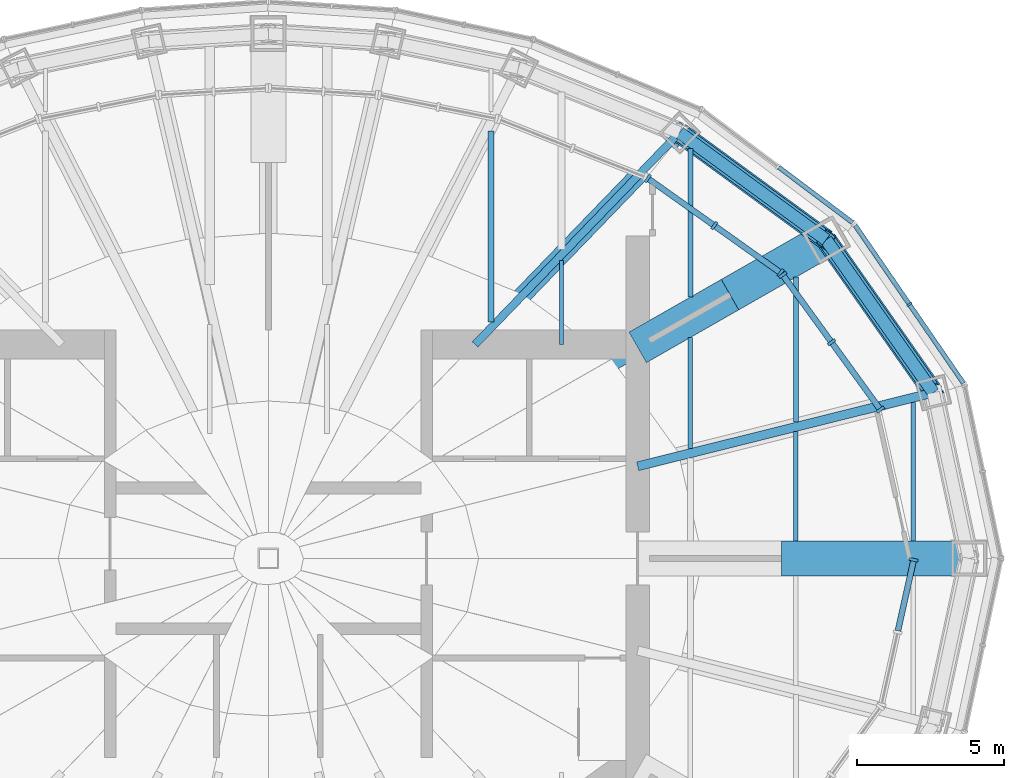
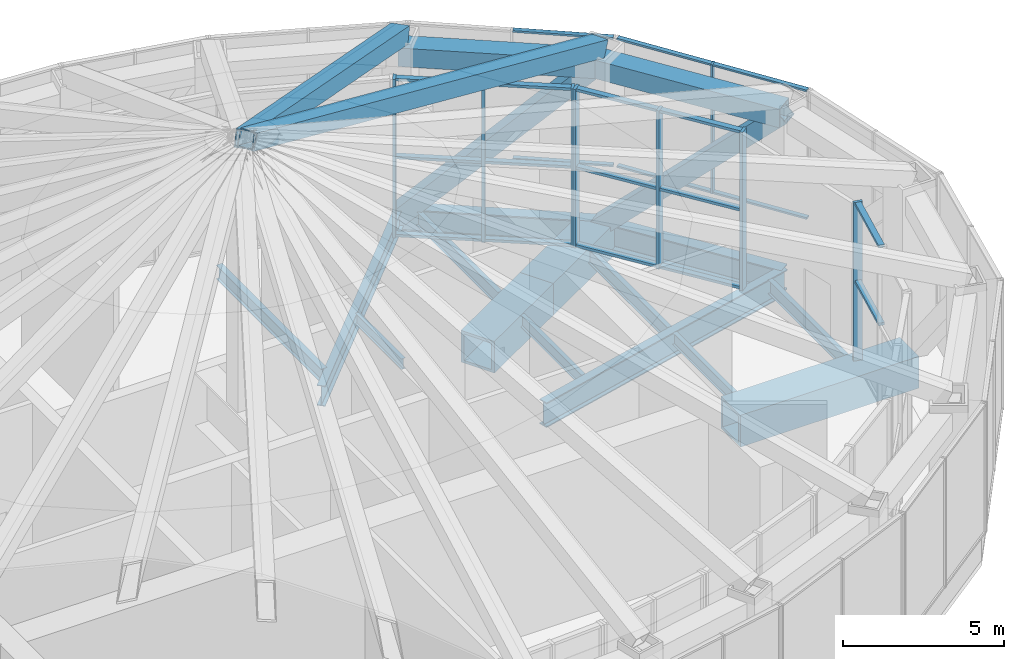
# One storey, part 9 of 21: 32 members, 16 beams, 5 elements without a shape of their own.
"""IFC4 building model written with IfcOpenShell, lengths in metres."""

from ifc_helpers import new_model, si_unit, direction, frame, origin, origin_2d, place, context, subcontext, project, spatial, rectangle, hollow_rectangle, i_section, extrude, material, material_profile, profile_set, type_object, element, aggregate, save


model = new_model("IFC4")

# Units and contexts
model_context = context("Model", 3, precision=1e-05, world=origin(), true_north=direction((0.0, 1.0)))
body_context = subcontext(model_context, "Body", "Model", "MODEL_VIEW")
ifc_project = project(units=[si_unit("LENGTHUNIT", "METRE"), si_unit("AREAUNIT", "SQUARE_METRE"), si_unit("VOLUMEUNIT", "CUBIC_METRE"), si_unit("PLANEANGLEUNIT", "RADIAN"), si_unit("MASSUNIT", "GRAM", prefix="KILO")], contexts=[model_context])

# Site, building, storey
site_placement = place(None, origin())
site = spatial("IfcSite", under=ifc_project, at=site_placement, CompositionType="ELEMENT")
building_placement = place(site_placement, origin())
building = spatial("IfcBuilding", under=site, at=building_placement, Name="Lantaw Convention Tower", CompositionType="ELEMENT")
storey_placement = place(building_placement, frame((0.0, 0.0, 290.39990234375)))
storey = spatial("IfcBuildingStorey", under=building, at=storey_placement, Name="L67", CompositionType="ELEMENT", Elevation=290.39990234375)

# Beams
ifc_material_1 = material(Name="Steel ASTM A992", Category="steel")
ifc_material_profile_1 = material_profile(ifc_material_1, i_section(OverallWidth=0.424072265625, OverallDepth=0.947509765625, WebThickness=0.02392578125, FlangeThickness=0.042724609375, FilletRadius=0.012451171875, at=origin_2d()), Name="W36X302")
ifc_profile_set_1 = profile_set([ifc_material_profile_1], Name="Steel ASTM A992")
beam_type_1 = type_object("IfcBeamType", Name="Beam BC W36X302", PredefinedType="SPANDREL", material=ifc_profile_set_1)
beam_1_placement = place(storey_placement, frame((22.68701171875, 5.656494140625, -0.673583984375), z_axis=(-0.574400527612, 0.81857439117, 0.0), x_axis=(-0.81857439117, -0.574400527612, 0.0)))
element("IfcBeam", 1, at=beam_1_placement, inside=storey, type_object=beam_type_1, Name="Belt truss chord 2", PredefinedType="SPANDREL", context=body_context, shape_type="SweptSolid", body=[
    extrude(i_section(OverallWidth=0.424072265625, OverallDepth=0.947509765625, WebThickness=0.02392578125, FlangeThickness=0.042724609375, FilletRadius=0.012451171875, at=origin_2d()), origin(), (0.0, 0.0, 1.0), 6.3720703125),
])
beam_2_placement = place(storey_placement, frame((19.02685546875, 10.87255859375, -0.673583984375), z_axis=(-0.807371616826, 0.59004328006, 0.0), x_axis=(-0.59004328006, -0.807371616826, 0.0)))
element("IfcBeam", 2, at=beam_2_placement, inside=storey, type_object=beam_type_1, Name="Belt truss chord 3", PredefinedType="SPANDREL", context=body_context, shape_type="SweptSolid", body=[
    extrude(i_section(OverallWidth=0.424072265625, OverallDepth=0.947509765625, WebThickness=0.02392578125, FlangeThickness=0.042724609375, FilletRadius=0.012451171875, at=origin_2d()), origin(), (0.0, 0.0, 1.0), 6.192138671875),
])
ifc_material_2 = material(Name="Steel EN 10025-3 S460N", Category="steel")
ifc_material_profile_2 = material_profile(ifc_material_2, hollow_rectangle(XDim=1.199951171875, YDim=1.199951171875, WallThickness=0.10009765625, at=origin_2d()), Name="BOX1200X100")
ifc_profile_set_2 = profile_set([ifc_material_profile_2], Name="Steel EN 10025-3 S460N")
beam_type_2 = type_object("IfcBeamType", Name="Beam G BOX1200X100", PredefinedType="BEAM", material=ifc_profile_set_2)
beam_3_placement = place(storey_placement, frame((17.5, 0.0, -0.7998046875), z_axis=(1.0, 0.0, 0.0), x_axis=(0.0, 1.0, 0.0)))
element("IfcBeam", 3, at=beam_3_placement, inside=storey, type_object=beam_type_2, Name="Floor girder on ray 1", PredefinedType="BEAM", context=body_context, shape_type="SweptSolid", body=[
    extrude(hollow_rectangle(XDim=1.199951171875, YDim=1.199951171875, WallThickness=0.10009765625, at=origin_2d()), origin(), (0.0, 0.0, 1.0), 6.39990234375),
])
beam_4_placement = place(storey_placement, frame((15.75, 9.0, -0.7998046875), z_axis=(0.868235180478, 0.496152870978, 0.0), x_axis=(-0.496152870978, 0.868235180478, 0.0)))
element("IfcBeam", 4, at=beam_4_placement, inside=storey, type_object=beam_type_2, Name="Floor girder on ray 3", PredefinedType="BEAM", context=body_context, shape_type="SweptSolid", body=[
    extrude(hollow_rectangle(XDim=1.199951171875, YDim=1.199951171875, WallThickness=0.10009765625, at=origin_2d()), origin(), (0.0, 0.0, 1.0), 3.774169921875),
])
ifc_material_profile_3 = material_profile(ifc_material_1, i_section(OverallWidth=0.2666015625, OverallDepth=0.76953125, WebThickness=0.015625, FlangeThickness=0.025390625, FilletRadius=0.0126953125, at=origin_2d()), Name="W30X132")
ifc_profile_set_3 = profile_set([ifc_material_profile_3], Name="Steel ASTM A992")
beam_type_3 = type_object("IfcBeamType", Name="Beam G W30X132", PredefinedType="BEAM", material=ifc_profile_set_3)
beam_5_placement = place(storey_placement, frame((7.049560546875, 7.300048828125, -0.584716796875), z_axis=(0.694652631285, 0.71934534255, 0.0), x_axis=(-0.71934534255, 0.694652631285, 0.0)))
element("IfcBeam", 5, at=beam_5_placement, inside=storey, type_object=beam_type_3, Name="Floor girder on ray 4", PredefinedType="BEAM", context=body_context, shape_type="SweptSolid", body=[
    extrude(i_section(OverallWidth=0.2666015625, OverallDepth=0.76953125, WebThickness=0.015625, FlangeThickness=0.025390625, FilletRadius=0.0126953125, at=origin_2d()), origin(), (0.0, 0.0, 1.0), 10.04541015625),
])
ifc_material_profile_4 = material_profile(ifc_material_1, i_section(OverallWidth=0.307373046875, OverallDepth=0.9423828125, WebThickness=0.022216796875, FlangeThickness=0.039794921875, FilletRadius=0.0126953125, at=origin_2d()), Name="W36X232")
ifc_profile_set_4 = profile_set([ifc_material_profile_4], Name="Steel ASTM A992")
beam_type_4 = type_object("IfcBeamType", Name="Beam G W36X232", PredefinedType="BEAM", material=ifc_profile_set_4)
beam_6_placement = place(storey_placement, frame((12.60009765625, 3.1416015625, -0.671142578125), z_axis=(0.97029702597, 0.241916682751, 0.0), x_axis=(-0.241916682751, 0.97029702597, 0.0)))
element("IfcBeam", 6, at=beam_6_placement, inside=storey, type_object=beam_type_4, Name="Floor girder on ray 2", PredefinedType="BEAM", context=body_context, shape_type="SweptSolid", body=[
    extrude(i_section(OverallWidth=0.307373046875, OverallDepth=0.9423828125, WebThickness=0.022216796875, FlangeThickness=0.039794921875, FilletRadius=0.0126953125, at=origin_2d()), origin(), (0.0, 0.0, 1.0), 10.395751953125),
])
ifc_material_profile_5 = material_profile(ifc_material_1, i_section(OverallWidth=0.140380859375, OverallDepth=0.40380859375, WebThickness=0.007080078125, FlangeThickness=0.01123046875, FilletRadius=0.01025390625, at=origin_2d()), Name="W16X31")
ifc_profile_set_5 = profile_set([ifc_material_profile_5], Name="Steel ASTM A992")
beam_type_5 = type_object("IfcBeamType", Name="Beam J W16X31", PredefinedType="JOIST", material=ifc_profile_set_5)
beam_7_placement = place(storey_placement, frame((10.0, 7.300048828125, -0.40185546875), z_axis=(0.0, 1.0, 0.0), x_axis=(-1.0, 0.0, 0.0)))
element("IfcBeam", 7, at=beam_7_placement, inside=storey, type_object=beam_type_5, Name="Floor joist", PredefinedType="JOIST", context=body_context, shape_type="SweptSolid", body=[
    extrude(i_section(OverallWidth=0.140380859375, OverallDepth=0.40380859375, WebThickness=0.007080078125, FlangeThickness=0.01123046875, FilletRadius=0.01025390625, at=origin_2d()), origin(), (0.0, 0.0, 1.0), 2.86328125),
])
ifc_material_profile_6 = material_profile(ifc_material_1, i_section(OverallWidth=0.15234375, OverallDepth=0.449462890625, WebThickness=0.007568359375, FlangeThickness=0.0107421875, FilletRadius=0.01025390625, at=origin_2d()), Name="W18X35")
ifc_profile_set_6 = profile_set([ifc_material_profile_6], Name="Steel ASTM A992")
beam_type_6 = type_object("IfcBeamType", Name="Beam J W18X35", PredefinedType="JOIST", material=ifc_profile_set_6)
beam_8_placement = place(storey_placement, frame((14.39990234375, 3.748779296875, -0.4248046875), z_axis=(0.0, 1.0, 0.0), x_axis=(-1.0, 0.0, 0.0)))
element("IfcBeam", 8, at=beam_8_placement, inside=storey, type_object=beam_type_6, Name="Floor joist", PredefinedType="JOIST", context=body_context, shape_type="SweptSolid", body=[
    extrude(i_section(OverallWidth=0.15234375, OverallDepth=0.449462890625, WebThickness=0.007568359375, FlangeThickness=0.0107421875, FilletRadius=0.01025390625, at=origin_2d()), origin(), (0.0, 0.0, 1.0), 3.788818359375),
])
beam_9_placement = place(storey_placement, frame((18.0, 0.60009765625, -0.4248046875), z_axis=(0.0, 1.0, 0.0), x_axis=(-1.0, 0.0, 0.0)))
element("IfcBeam", 9, at=beam_9_placement, inside=storey, type_object=beam_type_6, Name="Floor joist", PredefinedType="JOIST", context=body_context, shape_type="SweptSolid", body=[
    extrude(i_section(OverallWidth=0.15234375, OverallDepth=0.449462890625, WebThickness=0.007568359375, FlangeThickness=0.0107421875, FilletRadius=0.01025390625, at=origin_2d()), origin(), (0.0, 0.0, 1.0), 3.7294921875),
])
ifc_material_profile_7 = material_profile(ifc_material_1, i_section(OverallWidth=0.1650390625, OverallDepth=0.52587890625, WebThickness=0.0087890625, FlangeThickness=0.011474609375, FilletRadius=0.0126953125, at=origin_2d()), Name="W21X44")
ifc_profile_set_7 = profile_set([ifc_material_profile_7], Name="Steel ASTM A992")
beam_type_7 = type_object("IfcBeamType", Name="Beam J W21X44", PredefinedType="JOIST", material=ifc_profile_set_7)
beam_10_placement = place(storey_placement, frame((22.0, 0.60009765625, -0.462890625), z_axis=(0.0, 1.0, 0.0), x_axis=(-1.0, 0.0, 0.0)))
element("IfcBeam", 10, at=beam_10_placement, inside=storey, type_object=beam_type_7, Name="Floor joist", PredefinedType="JOIST", context=body_context, shape_type="SweptSolid", body=[
    extrude(i_section(OverallWidth=0.1650390625, OverallDepth=0.52587890625, WebThickness=0.0087890625, FlangeThickness=0.011474609375, FilletRadius=0.0126953125, at=origin_2d()), origin(), (0.0, 0.0, 1.0), 4.726806640625),
])
ifc_material_profile_8 = material_profile(ifc_material_1, i_section(OverallWidth=0.165771484375, OverallDepth=0.5283203125, WebThickness=0.009765625, FlangeThickness=0.013671875, FilletRadius=0.012939453125, at=origin_2d()), Name="W21X50")
ifc_profile_set_8 = profile_set([ifc_material_profile_8], Name="Steel ASTM A992")
beam_type_8 = type_object("IfcBeamType", Name="Beam J W21X50", PredefinedType="JOIST", material=ifc_profile_set_8)
beam_11_placement = place(storey_placement, frame((14.39990234375, 8.919677734375, -0.464111328125), z_axis=(0.0, 1.0, 0.0), x_axis=(-1.0, 0.0, 0.0)))
element("IfcBeam", 11, at=beam_11_placement, inside=storey, type_object=beam_type_8, Name="Floor joist", PredefinedType="JOIST", context=body_context, shape_type="SweptSolid", body=[
    extrude(i_section(OverallWidth=0.165771484375, OverallDepth=0.5283203125, WebThickness=0.009765625, FlangeThickness=0.013671875, FilletRadius=0.012939453125, at=origin_2d()), origin(), (0.0, 0.0, 1.0), 5.071533203125),
])
beam_12_placement = place(storey_placement, frame((18.0, 4.646240234375, -0.464111328125), z_axis=(0.0, 1.0, 0.0), x_axis=(-1.0, 0.0, 0.0)))
element("IfcBeam", 12, at=beam_12_placement, inside=storey, type_object=beam_type_8, Name="Floor joist", PredefinedType="JOIST", context=body_context, shape_type="SweptSolid", body=[
    extrude(i_section(OverallWidth=0.165771484375, OverallDepth=0.5283203125, WebThickness=0.009765625, FlangeThickness=0.013671875, FilletRadius=0.012939453125, at=origin_2d()), origin(), (0.0, 0.0, 1.0), 4.948486328125),
])
ifc_material_profile_9 = material_profile(ifc_material_1, i_section(OverallWidth=0.209228515625, OverallDepth=0.533447265625, WebThickness=0.01025390625, FlangeThickness=0.015625, FilletRadius=0.012939453125, at=origin_2d()), Name="W21X62")
ifc_profile_set_9 = profile_set([ifc_material_profile_9], Name="Steel ASTM A992")
beam_type_9 = type_object("IfcBeamType", Name="Beam J W21X62", PredefinedType="JOIST", material=ifc_profile_set_9)
beam_13_placement = place(storey_placement, frame((7.60009765625, 8.06201171875, -0.466552734375), z_axis=(0.0, 1.0, 0.0), x_axis=(-1.0, 0.0, 0.0)))
element("IfcBeam", 13, at=beam_13_placement, inside=storey, type_object=beam_type_9, Name="Floor joist", PredefinedType="JOIST", context=body_context, shape_type="SweptSolid", body=[
    extrude(i_section(OverallWidth=0.209228515625, OverallDepth=0.533447265625, WebThickness=0.01025390625, FlangeThickness=0.015625, FilletRadius=0.012939453125, at=origin_2d()), origin(), (0.0, 0.0, 1.0), 6.515380859375),
])
ifc_material_profile_10 = material_profile(ifc_material_2, hollow_rectangle(XDim=1.199951171875, YDim=1.199951171875, WallThickness=0.10009765625, at=origin_2d()), Name="BOX1200X100")
ifc_profile_set_10 = profile_set([ifc_material_profile_10], Name="Steel EN 10025-3 S460N")
beam_type_10 = type_object("IfcBeamType", Name="Beam OC BOX1200X100", PredefinedType="BEAM", material=ifc_profile_set_10)
beam_14_placement = place(storey_placement, frame((12.60009765625, 7.199951171875, -0.7998046875), z_axis=(0.868230718294, 0.496160679428, 0.0), x_axis=(-0.496160679428, 0.868230718294, 0.0)))
element("IfcBeam", 14, at=beam_14_placement, inside=storey, type_object=beam_type_10, Name="Outrigger chord on ray 3", PredefinedType="BEAM", context=body_context, shape_type="SweptSolid", body=[
    extrude(hollow_rectangle(XDim=1.199951171875, YDim=1.199951171875, WallThickness=0.10009765625, at=origin_2d()), origin(), (0.0, 0.0, 1.0), 3.6279296875),
])
ifc_material_3 = material(Name="Steel ASTM A572 Grade 50", Category="steel")
ifc_material_profile_11 = material_profile(ifc_material_3, hollow_rectangle(XDim=0.699951171875, YDim=0.699951171875, WallThickness=0.0400390625, at=origin_2d()), Name="BOX700X40")
ifc_profile_set_11 = profile_set([ifc_material_profile_11], Name="Steel ASTM A572 Grade 50")
beam_type_11 = type_object("IfcBeamType", Name="Beam crown ring BOX700X40", PredefinedType="SPANDREL", material=ifc_profile_set_11)
beam_15_placement = place(storey_placement, frame((22.68701171875, 5.656494140625, 5.650146484375), z_axis=(-0.574400527612, 0.81857439117, 0.0), x_axis=(-0.81857439117, -0.574400527612, 0.0)))
element("IfcBeam", 15, at=beam_15_placement, inside=storey, type_object=beam_type_11, Name="Crown ring beam", PredefinedType="SPANDREL", context=body_context, shape_type="SweptSolid", body=[
    extrude(hollow_rectangle(XDim=0.699951171875, YDim=0.699951171875, WallThickness=0.0400390625, at=origin_2d()), origin(), (0.0, 0.0, 1.0), 6.3720703125),
])
beam_16_placement = place(storey_placement, frame((19.02685546875, 10.87255859375, 5.650146484375), z_axis=(-0.807371616826, 0.59004328006, 0.0), x_axis=(-0.59004328006, -0.807371616826, 0.0)))
element("IfcBeam", 16, at=beam_16_placement, inside=storey, type_object=beam_type_11, Name="Crown ring beam", PredefinedType="SPANDREL", context=body_context, shape_type="SweptSolid", body=[
    extrude(hollow_rectangle(XDim=0.699951171875, YDim=0.699951171875, WallThickness=0.0400390625, at=origin_2d()), origin(), (0.0, 0.0, 1.0), 6.192138671875),
])

# Curtain wall, members
ifc_material_4 = material(Name="Aluminium framed curtain wall", Category="aluminium")
curtain_wall_type_1 = type_object("IfcCurtainWallType", Name="LANTERN glazing curtain wall, pale aluminium", PredefinedType="USERDEFINED", material=ifc_material_4)
curtain_wall_1_placement = place(storey_placement, origin())
curtain_wall_1 = element("IfcCurtainWall", 17, at=curtain_wall_1_placement, inside=storey, type_object=curtain_wall_type_1, Name="LANTERN glazing curtain wall, pale aluminium L67", ObjectType="LANTERN GLAZING", PredefinedType="USERDEFINED")
ifc_material_5 = material(Name="Aluminium 6063-T6", Category="aluminium")
ifc_material_profile_12 = material_profile(ifc_material_5, rectangle(XDim=0.300048828125, YDim=0.10009765625, at=origin_2d()), Name="CW-LN mullion 100x300")
ifc_profile_set_12 = profile_set([ifc_material_profile_12], Name="Aluminium 6063-T6")
member_type_1 = type_object("IfcMemberType", Name="CW-LN mullion 100x300", PredefinedType="MULLION", material=ifc_profile_set_12)
member_1_placement = place(storey_placement, frame((20.87939453125, 5.076171875, 0.0), z_axis=(0.0, 0.0, 1.0), x_axis=(-0.809741800193, -0.586786346995, 0.0)))
member_1 = element("IfcMember", 18, at=member_1_placement, type_object=member_type_1, Name="CW-LN mullion 1", PredefinedType="MULLION", context=body_context, shape_type="SweptSolid", body=[
    extrude(rectangle(XDim=0.300048828125, YDim=0.10009765625, at=origin_2d()), origin(), (0.0, 0.0, 1.0), 6.0),
])
member_2_placement = place(storey_placement, frame((19.213623046875, 7.375, 0.0), z_axis=(0.0, 0.0, 1.0), x_axis=(-0.809741800193, -0.586786346995, 0.0)))
member_2 = element("IfcMember", 19, at=member_2_placement, type_object=member_type_1, Name="CW-LN mullion 2", PredefinedType="MULLION", context=body_context, shape_type="SweptSolid", body=[
    extrude(rectangle(XDim=0.300048828125, YDim=0.10009765625, at=origin_2d()), origin(), (0.0, 0.0, 1.0), 6.0),
])
member_3_placement = place(storey_placement, frame((17.5478515625, 9.673583984375, 0.0), z_axis=(0.0, 0.0, 1.0), x_axis=(-0.809741800193, -0.586786346995, 0.0)))
member_3 = element("IfcMember", 20, at=member_3_placement, type_object=member_type_1, Name="CW-LN mullion 3", PredefinedType="MULLION", context=body_context, shape_type="SweptSolid", body=[
    extrude(rectangle(XDim=0.300048828125, YDim=0.10009765625, at=origin_2d()), origin(), (0.0, 0.0, 1.0), 6.0),
])

curtain_wall_2_placement = place(storey_placement, origin())
curtain_wall_2 = element("IfcCurtainWall", 21, at=curtain_wall_2_placement, inside=storey, type_object=curtain_wall_type_1, Name="LANTERN glazing curtain wall, pale aluminium L67", ObjectType="LANTERN GLAZING", PredefinedType="USERDEFINED")
member_4_placement = place(storey_placement, frame((17.477783203125, 9.7431640625, 0.0), z_axis=(0.0, 0.0, 1.0), x_axis=(-0.579683901346, -0.814841441337, 0.0)))
member_4 = element("IfcMember", 22, at=member_4_placement, type_object=member_type_1, Name="CW-LN mullion 1", PredefinedType="MULLION", context=body_context, shape_type="SweptSolid", body=[
    extrude(rectangle(XDim=0.300048828125, YDim=0.10009765625, at=origin_2d()), origin(), (0.0, 0.0, 1.0), 6.0),
])
member_5_placement = place(storey_placement, frame((15.212158203125, 11.354736328125, 0.0), z_axis=(0.0, 0.0, 1.0), x_axis=(-0.579683901346, -0.814841441337, 0.0)))
member_5 = element("IfcMember", 23, at=member_5_placement, type_object=member_type_1, Name="CW-LN mullion 2", PredefinedType="MULLION", context=body_context, shape_type="SweptSolid", body=[
    extrude(rectangle(XDim=0.300048828125, YDim=0.10009765625, at=origin_2d()), origin(), (0.0, 0.0, 1.0), 6.0),
])
member_6_placement = place(storey_placement, frame((12.946533203125, 12.966552734375, 0.0), z_axis=(0.0, 0.0, 1.0), x_axis=(-0.579683901346, -0.814841441337, 0.0)))
member_6 = element("IfcMember", 24, at=member_6_placement, type_object=member_type_1, Name="CW-LN mullion 3", PredefinedType="MULLION", context=body_context, shape_type="SweptSolid", body=[
    extrude(rectangle(XDim=0.300048828125, YDim=0.10009765625, at=origin_2d()), origin(), (0.0, 0.0, 1.0), 6.0),
])

# Curtain wall, member
curtain_wall_3_placement = place(storey_placement, origin())
curtain_wall_3 = element("IfcCurtainWall", 25, at=curtain_wall_3_placement, inside=storey, type_object=curtain_wall_type_1, Name="LANTERN glazing curtain wall, pale aluminium L67", ObjectType="LANTERN GLAZING", PredefinedType="USERDEFINED")
member_7_placement = place(storey_placement, frame((22.01611328125, -0.048828125, 0.0), z_axis=(0.0, 0.0, 1.0), x_axis=(-0.976223729568, 0.216765379683, 0.0)))
member_7 = element("IfcMember", 26, at=member_7_placement, type_object=member_type_1, Name="CW-LN mullion 3", PredefinedType="MULLION", context=body_context, shape_type="SweptSolid", body=[
    extrude(rectangle(XDim=0.300048828125, YDim=0.10009765625, at=origin_2d()), origin(), (0.0, 0.0, 1.0), 6.0),
])

# Member
ifc_material_profile_13 = material_profile(ifc_material_5, rectangle(XDim=0.199951171875, YDim=0.10009765625, at=origin_2d()), Name="CW-LN transom 100x200")
ifc_profile_set_13 = profile_set([ifc_material_profile_13], Name="Aluminium 6063-T6")
member_type_2 = type_object("IfcMemberType", Name="CW-LN transom 100x200", PredefinedType="USERDEFINED", material=ifc_profile_set_13)
member_8_placement = place(storey_placement, frame((20.85009765625, 5.11669921875, 0.050048828125), z_axis=(-0.586798118951, 0.809733269414, 0.0), x_axis=(-0.809733269414, -0.586798118951, 0.0)))
member_8 = element("IfcMember", 27, at=member_8_placement, type_object=member_type_2, Name="CW-LN transom 1.1", ObjectType="TRANSOM", PredefinedType="USERDEFINED", context=body_context, shape_type="SweptSolid", body=[
    extrude(rectangle(XDim=0.199951171875, YDim=0.10009765625, at=origin_2d()), origin(), (0.0, 0.0, 1.0), 2.739013671875),
])

member_9_placement = place(storey_placement, frame((20.85009765625, 5.11669921875, 3.0), z_axis=(-0.586798118951, 0.809733269414, 0.0), x_axis=(-0.809733269414, -0.586798118951, 0.0)))
member_9 = element("IfcMember", 28, at=member_9_placement, type_object=member_type_2, Name="CW-LN transom 1.2", ObjectType="TRANSOM", PredefinedType="USERDEFINED", context=body_context, shape_type="SweptSolid", body=[
    extrude(rectangle(XDim=0.199951171875, YDim=0.10009765625, at=origin_2d()), origin(), (0.0, 0.0, 1.0), 2.739013671875),
])

member_10_placement = place(storey_placement, frame((20.85009765625, 5.11669921875, 5.9501953125), z_axis=(-0.586798118951, 0.809733269414, 0.0), x_axis=(-0.809733269414, -0.586798118951, 0.0)))
member_10 = element("IfcMember", 29, at=member_10_placement, type_object=member_type_2, Name="CW-LN transom 1.3", ObjectType="TRANSOM", PredefinedType="USERDEFINED", context=body_context, shape_type="SweptSolid", body=[
    extrude(rectangle(XDim=0.199951171875, YDim=0.10009765625, at=origin_2d()), origin(), (0.0, 0.0, 1.0), 2.739013671875),
])

member_11_placement = place(storey_placement, frame((19.184326171875, 7.415283203125, 0.050048828125), z_axis=(-0.586798118951, 0.809733269414, 0.0), x_axis=(-0.809733269414, -0.586798118951, 0.0)))
member_11 = element("IfcMember", 30, at=member_11_placement, type_object=member_type_2, Name="CW-LN transom 2.1", ObjectType="TRANSOM", PredefinedType="USERDEFINED", context=body_context, shape_type="SweptSolid", body=[
    extrude(rectangle(XDim=0.199951171875, YDim=0.10009765625, at=origin_2d()), origin(), (0.0, 0.0, 1.0), 2.739013671875),
])

member_12_placement = place(storey_placement, frame((19.184326171875, 7.415283203125, 3.0), z_axis=(-0.586798118951, 0.809733269414, 0.0), x_axis=(-0.809733269414, -0.586798118951, 0.0)))
member_12 = element("IfcMember", 31, at=member_12_placement, type_object=member_type_2, Name="CW-LN transom 2.2", ObjectType="TRANSOM", PredefinedType="USERDEFINED", context=body_context, shape_type="SweptSolid", body=[
    extrude(rectangle(XDim=0.199951171875, YDim=0.10009765625, at=origin_2d()), origin(), (0.0, 0.0, 1.0), 2.739013671875),
])

member_13_placement = place(storey_placement, frame((19.184326171875, 7.415283203125, 5.9501953125), z_axis=(-0.586798118951, 0.809733269414, 0.0), x_axis=(-0.809733269414, -0.586798118951, 0.0)))
member_13 = element("IfcMember", 32, at=member_13_placement, type_object=member_type_2, Name="CW-LN transom 2.3", ObjectType="TRANSOM", PredefinedType="USERDEFINED", context=body_context, shape_type="SweptSolid", body=[
    extrude(rectangle(XDim=0.199951171875, YDim=0.10009765625, at=origin_2d()), origin(), (0.0, 0.0, 1.0), 2.739013671875),
])

aggregate(curtain_wall_1, [member_1, member_2, member_3, member_8, member_9, member_10, member_11, member_12, member_13])

member_14_placement = place(storey_placement, frame((17.43701171875, 9.77197265625, 0.050048828125), z_axis=(-0.814809043546, 0.579729439098, 0.0), x_axis=(-0.579729439098, -0.814809043546, 0.0)))
member_14 = element("IfcMember", 33, at=member_14_placement, type_object=member_type_2, Name="CW-LN transom 1.1", ObjectType="TRANSOM", PredefinedType="USERDEFINED", context=body_context, shape_type="SweptSolid", body=[
    extrude(rectangle(XDim=0.199951171875, YDim=0.10009765625, at=origin_2d()), origin(), (0.0, 0.0, 1.0), 2.680419921875),
])

member_15_placement = place(storey_placement, frame((17.43701171875, 9.77197265625, 3.0), z_axis=(-0.814809043546, 0.579729439098, 0.0), x_axis=(-0.579729439098, -0.814809043546, 0.0)))
member_15 = element("IfcMember", 34, at=member_15_placement, type_object=member_type_2, Name="CW-LN transom 1.2", ObjectType="TRANSOM", PredefinedType="USERDEFINED", context=body_context, shape_type="SweptSolid", body=[
    extrude(rectangle(XDim=0.199951171875, YDim=0.10009765625, at=origin_2d()), origin(), (0.0, 0.0, 1.0), 2.680419921875),
])

member_16_placement = place(storey_placement, frame((17.43701171875, 9.77197265625, 5.9501953125), z_axis=(-0.814809043546, 0.579729439098, 0.0), x_axis=(-0.579729439098, -0.814809043546, 0.0)))
member_16 = element("IfcMember", 35, at=member_16_placement, type_object=member_type_2, Name="CW-LN transom 1.3", ObjectType="TRANSOM", PredefinedType="USERDEFINED", context=body_context, shape_type="SweptSolid", body=[
    extrude(rectangle(XDim=0.199951171875, YDim=0.10009765625, at=origin_2d()), origin(), (0.0, 0.0, 1.0), 2.680419921875),
])

member_17_placement = place(storey_placement, frame((15.17138671875, 11.3837890625, 0.050048828125), z_axis=(-0.814852067311, 0.579668964495, 0.0), x_axis=(-0.579668964495, -0.814852067311, 0.0)))
member_17 = element("IfcMember", 36, at=member_17_placement, type_object=member_type_2, Name="CW-LN transom 2.1", ObjectType="TRANSOM", PredefinedType="USERDEFINED", context=body_context, shape_type="SweptSolid", body=[
    extrude(rectangle(XDim=0.199951171875, YDim=0.10009765625, at=origin_2d()), origin(), (0.0, 0.0, 1.0), 2.680419921875),
])

member_18_placement = place(storey_placement, frame((15.17138671875, 11.3837890625, 3.0), z_axis=(-0.814852067311, 0.579668964495, 0.0), x_axis=(-0.579668964495, -0.814852067311, 0.0)))
member_18 = element("IfcMember", 37, at=member_18_placement, type_object=member_type_2, Name="CW-LN transom 2.2", ObjectType="TRANSOM", PredefinedType="USERDEFINED", context=body_context, shape_type="SweptSolid", body=[
    extrude(rectangle(XDim=0.199951171875, YDim=0.10009765625, at=origin_2d()), origin(), (0.0, 0.0, 1.0), 2.680419921875),
])

member_19_placement = place(storey_placement, frame((15.17138671875, 11.3837890625, 5.9501953125), z_axis=(-0.814852067311, 0.579668964495, 0.0), x_axis=(-0.579668964495, -0.814852067311, 0.0)))
member_19 = element("IfcMember", 38, at=member_19_placement, type_object=member_type_2, Name="CW-LN transom 2.3", ObjectType="TRANSOM", PredefinedType="USERDEFINED", context=body_context, shape_type="SweptSolid", body=[
    extrude(rectangle(XDim=0.199951171875, YDim=0.10009765625, at=origin_2d()), origin(), (0.0, 0.0, 1.0), 2.680419921875),
])

aggregate(curtain_wall_2, [member_4, member_5, member_6, member_14, member_15, member_16, member_17, member_18, member_19])

member_20_placement = place(storey_placement, frame((21.478515625, -2.468994140625, 3.0), z_axis=(0.21679211166, 0.976217793488, 0.0), x_axis=(-0.976217793488, 0.21679211166, 0.0)))
member_20 = element("IfcMember", 39, at=member_20_placement, type_object=member_type_2, Name="CW-LN transom 2.2", ObjectType="TRANSOM", PredefinedType="USERDEFINED", context=body_context, shape_type="SweptSolid", body=[
    extrude(rectangle(XDim=0.199951171875, YDim=0.10009765625, at=origin_2d()), origin(), (0.0, 0.0, 1.0), 2.42919921875),
])

member_21_placement = place(storey_placement, frame((21.478515625, -2.468994140625, 5.9501953125), z_axis=(0.21679211166, 0.976217793488, 0.0), x_axis=(-0.976217793488, 0.21679211166, 0.0)))
member_21 = element("IfcMember", 40, at=member_21_placement, type_object=member_type_2, Name="CW-LN transom 2.3", ObjectType="TRANSOM", PredefinedType="USERDEFINED", context=body_context, shape_type="SweptSolid", body=[
    extrude(rectangle(XDim=0.199951171875, YDim=0.10009765625, at=origin_2d()), origin(), (0.0, 0.0, 1.0), 2.42919921875),
])

aggregate(curtain_wall_3, [member_7, member_20, member_21])

# Curtain wall, members
curtain_wall_type_2 = type_object("IfcCurtainWallType", Name="Plant floor louvre wall, pale aluminium", PredefinedType="USERDEFINED", material=ifc_material_4)
curtain_wall_4_placement = place(storey_placement, origin())
curtain_wall_4 = element("IfcCurtainWall", 41, at=curtain_wall_4_placement, inside=storey, type_object=curtain_wall_type_2, Name="Plant floor louvre wall, pale aluminium L67", ObjectType="LOUVRE WALL", PredefinedType="USERDEFINED")
ifc_material_profile_14 = material_profile(ifc_material_5, rectangle(XDim=0.199951171875, YDim=0.070068359375, at=origin_2d()), Name="CW-LV mullion 70x200")
ifc_profile_set_14 = profile_set([ifc_material_profile_14], Name="Aluminium 6063-T6")
member_type_3 = type_object("IfcMemberType", Name="CW-LV mullion 70x200", PredefinedType="MULLION", material=ifc_profile_set_14)
member_22_placement = place(storey_placement, frame((21.8681640625, 8.67041015625, 1.10009765625), z_axis=(0.0, 0.0, 1.0), x_axis=(-0.824449977189, -0.565934832921, 0.0)))
member_22 = element("IfcMember", 42, at=member_22_placement, type_object=member_type_3, Name="CW-LV mullion 2", PredefinedType="MULLION", context=body_context, shape_type="SweptSolid", body=[
    extrude(rectangle(XDim=0.199951171875, YDim=0.070068359375, at=origin_2d()), origin(), (0.0, 0.0, 1.0), 4.89990234375),
])
ifc_material_profile_15 = material_profile(ifc_material_5, rectangle(XDim=0.159912109375, YDim=0.070068359375, at=origin_2d()), Name="CW-LV transom 70x160")
ifc_profile_set_15 = profile_set([ifc_material_profile_15], Name="Aluminium 6063-T6")
member_type_4 = type_object("IfcMemberType", Name="CW-LV transom 70x160", PredefinedType="USERDEFINED", material=ifc_profile_set_15)
member_23_placement = place(storey_placement, frame((23.71484375, 5.980224609375, 1.135009765625), z_axis=(-0.56594129057, 0.824445544368, 0.0), x_axis=(-0.824445544368, -0.56594129057, 0.0)))
member_23 = element("IfcMember", 43, at=member_23_placement, type_object=member_type_4, Name="CW-LV transom 1.1", ObjectType="TRANSOM", PredefinedType="USERDEFINED", context=body_context, shape_type="SweptSolid", body=[
    extrude(rectangle(XDim=0.159912109375, YDim=0.070068359375, at=origin_2d()), origin(), (0.0, 0.0, 1.0), 3.22802734375),
])
member_24_placement = place(storey_placement, frame((23.71484375, 5.980224609375, 5.965087890625), z_axis=(-0.56594129057, 0.824445544368, 0.0), x_axis=(-0.824445544368, -0.56594129057, 0.0)))
member_24 = element("IfcMember", 44, at=member_24_placement, type_object=member_type_4, Name="CW-LV transom 1.2", ObjectType="TRANSOM", PredefinedType="USERDEFINED", context=body_context, shape_type="SweptSolid", body=[
    extrude(rectangle(XDim=0.159912109375, YDim=0.070068359375, at=origin_2d()), origin(), (0.0, 0.0, 1.0), 3.22802734375),
])
member_25_placement = place(storey_placement, frame((21.848388671875, 8.69921875, 1.135009765625), z_axis=(-0.56594129057, 0.824445544368, 0.0), x_axis=(-0.824445544368, -0.56594129057, 0.0)))
member_25 = element("IfcMember", 45, at=member_25_placement, type_object=member_type_4, Name="CW-LV transom 2.1", ObjectType="TRANSOM", PredefinedType="USERDEFINED", context=body_context, shape_type="SweptSolid", body=[
    extrude(rectangle(XDim=0.159912109375, YDim=0.070068359375, at=origin_2d()), origin(), (0.0, 0.0, 1.0), 3.22802734375),
])
member_26_placement = place(storey_placement, frame((21.848388671875, 8.69921875, 5.965087890625), z_axis=(-0.56594129057, 0.824445544368, 0.0), x_axis=(-0.824445544368, -0.56594129057, 0.0)))
member_26 = element("IfcMember", 46, at=member_26_placement, type_object=member_type_4, Name="CW-LV transom 2.2", ObjectType="TRANSOM", PredefinedType="USERDEFINED", context=body_context, shape_type="SweptSolid", body=[
    extrude(rectangle(XDim=0.159912109375, YDim=0.070068359375, at=origin_2d()), origin(), (0.0, 0.0, 1.0), 3.22802734375),
])
aggregate(curtain_wall_4, [member_22, member_23, member_24, member_25, member_26])

curtain_wall_5_placement = place(storey_placement, origin())
curtain_wall_5 = element("IfcCurtainWall", 47, at=curtain_wall_5_placement, inside=storey, type_object=curtain_wall_type_2, Name="Plant floor louvre wall, pale aluminium L67", ObjectType="LOUVRE WALL", PredefinedType="USERDEFINED")
member_27_placement = place(storey_placement, frame((19.926025390625, 11.460205078125, 1.135009765625), z_axis=(-0.799496049611, 0.600671346626, 0.0), x_axis=(-0.600671346626, -0.799496049611, 0.0)))
member_27 = element("IfcMember", 48, at=member_27_placement, type_object=member_type_4, Name="CW-LV transom 1.1", ObjectType="TRANSOM", PredefinedType="USERDEFINED", context=body_context, shape_type="SweptSolid", body=[
    extrude(rectangle(XDim=0.159912109375, YDim=0.070068359375, at=origin_2d()), origin(), (0.0, 0.0, 1.0), 3.14111328125),
])
member_28_placement = place(storey_placement, frame((19.926025390625, 11.460205078125, 5.965087890625), z_axis=(-0.799496049611, 0.600671346626, 0.0), x_axis=(-0.600671346626, -0.799496049611, 0.0)))
member_28 = element("IfcMember", 49, at=member_28_placement, type_object=member_type_4, Name="CW-LV transom 1.2", ObjectType="TRANSOM", PredefinedType="USERDEFINED", context=body_context, shape_type="SweptSolid", body=[
    extrude(rectangle(XDim=0.159912109375, YDim=0.070068359375, at=origin_2d()), origin(), (0.0, 0.0, 1.0), 3.14111328125),
])
aggregate(curtain_wall_5, [member_27, member_28])

# Members
ifc_material_profile_16 = material_profile(ifc_material_3, hollow_rectangle(XDim=0.60009765625, YDim=0.60009765625, WallThickness=0.031982421875, at=origin_2d()), Name="BOX600X32")
ifc_profile_set_16 = profile_set([ifc_material_profile_16], Name="Steel ASTM A572 Grade 50")
member_type_5 = type_object("IfcMemberType", Name="Member CR BOX600X32", PredefinedType="BRACE", material=ifc_profile_set_16)
member_29_placement = place(storey_placement, frame((19.02685546875, 10.87255859375, -0.505859375), z_axis=(0.411686509541, -0.586691720675, 0.697357184485), x_axis=(0.81857439117, 0.574400527612, 0.0)))
element("IfcMember", 50, at=member_29_placement, inside=storey, type_object=member_type_5, Name="Crown ring truss diagonal 2 (upper)", PredefinedType="BRACE", context=body_context, shape_type="SweptSolid", body=[
    extrude(hollow_rectangle(XDim=0.60009765625, YDim=0.60009765625, WallThickness=0.031982421875, at=origin_2d()), origin(), (0.0, 0.0, 1.0), 8.890625),
])
member_30_placement = place(storey_placement, frame((14.027587890625, 14.526123046875, -0.505859375), z_axis=(0.570532803839, -0.416956751939, 0.707558751452), x_axis=(0.59004328006, 0.807371616826, 0.0)))
element("IfcMember", 51, at=member_30_placement, inside=storey, type_object=member_type_5, Name="Crown ring truss diagonal 3 (upper)", PredefinedType="BRACE", context=body_context, shape_type="SweptSolid", body=[
    extrude(hollow_rectangle(XDim=0.60009765625, YDim=0.60009765625, WallThickness=0.031982421875, at=origin_2d()), origin(), (0.0, 0.0, 1.0), 8.762451171875),
])
ifc_material_profile_17 = material_profile(ifc_material_3, hollow_rectangle(XDim=0.60009765625, YDim=0.60009765625, WallThickness=0.031982421875, at=origin_2d()), Name="BOX600X32")
ifc_profile_set_17 = profile_set([ifc_material_profile_17], Name="Steel ASTM A572 Grade 50")
member_type_6 = type_object("IfcMemberType", Name="Member crown rib BOX600X32", PredefinedType="RAFTER", material=ifc_profile_set_17)
member_31_placement = place(storey_placement, frame((19.02685546875, 10.87255859375, 6.300048828125), z_axis=(-0.794552056754, -0.454031225448, 0.403165816291), x_axis=(0.496140156478, -0.868242446054, 0.0)))
element("IfcMember", 52, at=member_31_placement, inside=storey, type_object=member_type_6, Name="Crown rib", PredefinedType="RAFTER", context=body_context, shape_type="SweptSolid", body=[
    extrude(hollow_rectangle(XDim=0.60009765625, YDim=0.60009765625, WallThickness=0.031982421875, at=origin_2d()), origin(), (0.0, 0.0, 1.0), 23.5859375),
])
member_32_placement = place(storey_placement, frame((14.027587890625, 14.526123046875, 6.300048828125), z_axis=(-0.626714651536, -0.648984093946, 0.431333271792), x_axis=(0.719340909743, -0.694657221635, 0.0)))
element("IfcMember", 53, at=member_32_placement, inside=storey, type_object=member_type_6, Name="Crown rib", PredefinedType="RAFTER", context=body_context, shape_type="SweptSolid", body=[
    extrude(hollow_rectangle(XDim=0.60009765625, YDim=0.60009765625, WallThickness=0.031982421875, at=origin_2d()), origin(), (0.0, 0.0, 1.0), 22.024658203125),
])

save(model, "model.ifc")
